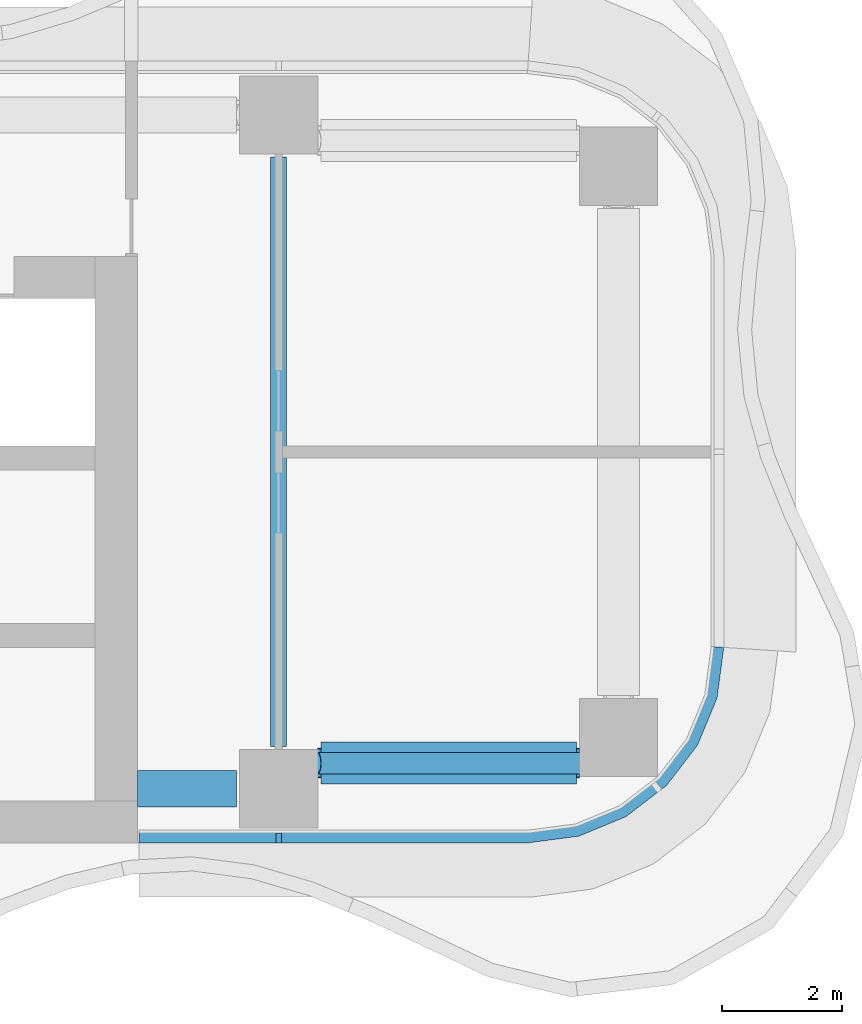
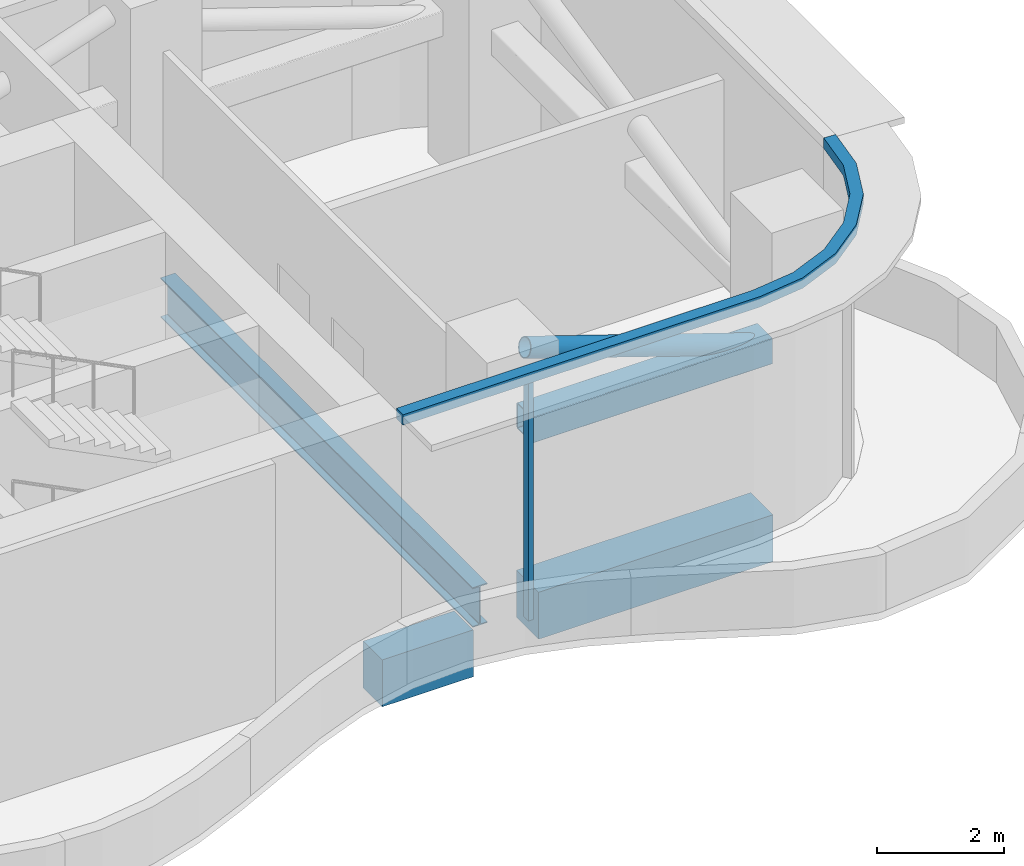
# One storey, part 5 of 20: 4 beams, 3 members, 1 element without a shape of its own.
"""IFC4 building model written with IfcOpenShell, lengths in metres."""

from ifc_helpers import new_model, si_unit, direction, frame, origin, origin_2d, place, context, subcontext, project, spatial, polyline, rectangle, hollow_rectangle, hollow_circle, i_section, outline, extrude, source, transform, mapped, material, layer, layer_set, material_profile, profile_set, type_object, element, aggregate, save


model = new_model("IFC4")

# Units and contexts
model_context = context("Model", 3, precision=1e-05, world=origin(), true_north=direction((0.0, 1.0)))
body_context = subcontext(model_context, "Body", "Model", "MODEL_VIEW")
ifc_project = project(units=[si_unit("LENGTHUNIT", "METRE"), si_unit("AREAUNIT", "SQUARE_METRE"), si_unit("VOLUMEUNIT", "CUBIC_METRE"), si_unit("PLANEANGLEUNIT", "RADIAN"), si_unit("MASSUNIT", "GRAM", prefix="KILO")], contexts=[model_context])

# Site, building, storey
site_placement = place(None, origin())
site = spatial("IfcSite", under=ifc_project, at=site_placement, CompositionType="ELEMENT")
building_placement = place(site_placement, origin())
building = spatial("IfcBuilding", under=site, at=building_placement, Name="Trellis Farm Tower", CompositionType="ELEMENT")
storey_placement = place(building_placement, frame((0.0, 0.0, 92.5)))
storey = spatial("IfcBuildingStorey", under=building, at=storey_placement, Name="L19", CompositionType="ELEMENT", Elevation=92.5)

# Curtain wall, member
ifc_material_1 = material(Name="Aluminium and glass curtain wall", Category="aluminium")
ifc_layer_1 = layer(ifc_material_1, 0.196044921875)
ifc_layer_set_1 = layer_set([ifc_layer_1], Name="LOUVRED GLASS CURTAIN WALL CW6")
curtain_wall_type = type_object("IfcCurtainWallType", Name="LOUVRED GLASS CURTAIN WALL CW6", PredefinedType="NOTDEFINED", material=ifc_layer_set_1)
curtain_wall_placement = place(storey_placement, origin())
curtain_wall = element("IfcCurtainWall", 1, at=curtain_wall_placement, inside=storey, type_object=curtain_wall_type, Name="CW6 007", PredefinedType="NOTDEFINED")
ifc_material_2 = material(Name="Aluminium extrusion 6063-T6", Category="aluminium")
ifc_layer_2 = layer(ifc_material_2, 0.2099609375)
ifc_layer_set_2 = layer_set([ifc_layer_2], Name="Aluminium extrusion 6063-T6")
member_type_1 = type_object("IfcMemberType", Name="CW6 TRANSOM 210x200", PredefinedType="USERDEFINED", material=ifc_layer_set_2)
member_1_placement = place(storey_placement, frame((0.0, 0.0, 4.550048828125)))
member_1 = element("IfcMember", 2, at=member_1_placement, type_object=member_type_1, Name="TR6 007", ObjectType="TRANSOM", PredefinedType="USERDEFINED", context=body_context, shape_type="SweptSolid", body=[
    extrude(outline(polyline([(22.780029296875, -6.5), (29.25, -6.5), (30.091064453125, -6.38916015625), (30.875, -6.064697265625), (31.548095703125, -5.548095703125), (32.064697265625, -4.875), (32.38916015625, -4.091064453125), (32.5, -3.25), (32.2900390625, -3.236328125), (32.1845703125, -4.036376953125), (31.881103515625, -4.76904296875), (31.3984375, -5.3984375), (30.76904296875, -5.881103515625), (30.036376953125, -6.1845703125), (29.236328125, -6.2900390625), (22.780029296875, -6.2900390625), (22.780029296875, -6.5)])), origin(), (0.0, 0.0, 1.0), 0.199951171875),
])

# Beams
ifc_material_3 = material(Name="Steel S355", Category="steel")
ifc_material_profile_1 = material_profile(ifc_material_3, i_section(OverallWidth=0.2666015625, OverallDepth=0.76220703125, WebThickness=0.014404296875, FlangeThickness=0.021484375, FilletRadius=0.0166015625, at=origin_2d()), Name="UB 762x267x173")
ifc_profile_set_1 = profile_set([ifc_material_profile_1], Name="Steel S355")
beam_type_1 = type_object("IfcBeamType", Name="UB 762x267x173", PredefinedType="BEAM", material=ifc_profile_set_1)
shared_shape_1 = source(origin(), body_context, "Body", "SweptSolid", [
    extrude(i_section(OverallWidth=0.2666015625, OverallDepth=0.76220703125, WebThickness=0.014404296875, FlangeThickness=0.021484375, FilletRadius=0.0166015625, at=origin_2d()), origin(), (0.0, 0.0, 1.0), 9.7998046875),
])
beam_1_placement = place(storey_placement, frame((25.10009765625, -4.89990234375, -0.68115234375), z_axis=(0.0, 1.0, 0.0), x_axis=(-1.0, 0.0, 0.0)))
element("IfcBeam", 3, at=beam_1_placement, inside=storey, type_object=beam_type_1, Name="Girder", PredefinedType="BEAM", context=body_context, shape_type="MappedRepresentation", body=[
    mapped(shared_shape_1, transform((0.0, 0.0, 0.0))),
])
ifc_material_4 = material(Name="Concrete C60/75", Category="concrete")
ifc_material_profile_2 = material_profile(ifc_material_4, rectangle(XDim=0.699951171875, YDim=0.89990234375, at=origin_2d()), Name="RC spandrel beam 700x900 C60/75")
ifc_profile_set_2 = profile_set([ifc_material_profile_2], Name="Concrete C60/75")
beam_type_2 = type_object("IfcBeamType", Name="RC spandrel beam 700x900 C60/75", PredefinedType="SPANDREL", material=ifc_profile_set_2)
shared_shape_2 = source(origin(), body_context, "Body", "SweptSolid", [
    extrude(rectangle(XDim=0.699951171875, YDim=0.89990234375, at=origin_2d()), origin(), (0.0, 0.0, 1.0), 4.25),
])
beam_2_placement = place(storey_placement, frame((25.800048828125, -5.175048828125, -0.75), z_axis=(1.0, 0.0, 0.0), x_axis=(0.0, 1.0, 0.0)))
element("IfcBeam", 4, at=beam_2_placement, inside=storey, type_object=beam_type_2, Name="Girder", PredefinedType="SPANDREL", context=body_context, shape_type="MappedRepresentation", body=[
    mapped(shared_shape_2, transform((0.0, 0.0, 0.0))),
])
ifc_material_profile_3 = material_profile(ifc_material_4, rectangle(XDim=0.60009765625, YDim=0.89990234375, at=origin_2d()), Name="RC spandrel beam 600x900 C60/75")
ifc_profile_set_3 = profile_set([ifc_material_profile_3], Name="Concrete C60/75")
beam_type_3 = type_object("IfcBeamType", Name="RC spandrel beam 600x900 C60/75", PredefinedType="SPANDREL", material=ifc_profile_set_3)
shared_shape_3 = source(origin(), body_context, "Body", "SweptSolid", [
    extrude(rectangle(XDim=0.60009765625, YDim=0.89990234375, at=origin_2d()), origin(), (0.0, 0.0, 1.0), 1.64990234375),
])
beam_3_placement = place(storey_placement, frame((22.75, -5.60009765625, -0.75), z_axis=(1.0, 0.0, 0.0), x_axis=(0.0, 1.0, 0.0)))
element("IfcBeam", 5, at=beam_3_placement, inside=storey, type_object=beam_type_3, Name="Girder", PredefinedType="SPANDREL", context=body_context, shape_type="MappedRepresentation", body=[
    mapped(shared_shape_3, transform((0.0, 0.0, 0.0))),
])
ifc_material_profile_4 = material_profile(ifc_material_3, hollow_rectangle(XDim=0.5, YDim=0.5, WallThickness=0.02001953125, InnerFilletRadius=0.02001953125, OuterFilletRadius=0.030029296875, at=origin_2d()), Name="SHS 500x500x20")
ifc_profile_set_4 = profile_set([ifc_material_profile_4], Name="Steel S355")
beam_type_4 = type_object("IfcBeamType", Name="SHS 500x500x20", PredefinedType="BEAM", material=ifc_profile_set_4)
shared_shape_4 = source(origin(), body_context, "Body", "SweptSolid", [
    extrude(hollow_rectangle(XDim=0.5, YDim=0.5, WallThickness=0.02001953125, InnerFilletRadius=0.02001953125, OuterFilletRadius=0.030029296875, at=origin_2d()), origin(), (0.0, 0.0, 1.0), 4.35009765625),
])
beam_4_placement = place(storey_placement, frame((25.75, -5.175048828125, 2.75), z_axis=(1.0, 0.0, 0.0), x_axis=(0.0, 1.0, 0.0)))
element("IfcBeam", 6, at=beam_4_placement, inside=storey, type_object=beam_type_4, Name="Outrigger truss chord SHS 500x500x20", PredefinedType="BEAM", context=body_context, shape_type="MappedRepresentation", body=[
    mapped(shared_shape_4, transform((0.0, 0.0, 0.0))),
])

# Member
ifc_material_profile_5 = material_profile(ifc_material_3, hollow_circle(Radius=0.177734375, WallThickness=0.01611328125, at=origin_2d()), Name="CHS 355.6x16")
ifc_profile_set_5 = profile_set([ifc_material_profile_5], Name="Steel S355")
member_type_2 = type_object("IfcMemberType", Name="CHS 355.6x16 brace", PredefinedType="BRACE", material=ifc_profile_set_5)
shared_shape_5 = source(origin(), body_context, "Body", "SweptSolid", [
    extrude(hollow_circle(Radius=0.177734375, WallThickness=0.01611328125, at=origin_2d()), origin(), (0.0, 0.0, 1.0), 4.58544921875),
])
member_2_placement = place(storey_placement, frame((30.10009765625, -5.175048828125, 2.75), z_axis=(-0.948688622243, 0.0, 0.31621179299), x_axis=(0.0, -1.0, 0.0)))
element("IfcMember", 7, at=member_2_placement, inside=storey, type_object=member_type_2, Name="Outrigger truss diagonal CHS 355.6x16", PredefinedType="BRACE", context=body_context, shape_type="MappedRepresentation", body=[
    mapped(shared_shape_5, transform((0.0, 0.0, 0.0))),
])

ifc_material_profile_6 = material_profile(ifc_material_2, rectangle(XDim=0.090087890625, YDim=0.159912109375, at=origin_2d()), Name="MULLION 90x160")
ifc_profile_set_6 = profile_set([ifc_material_profile_6], Name="Aluminium extrusion 6063-T6")
member_type_3 = type_object("IfcMemberType", Name="CW6 MULLION 90x160", PredefinedType="MULLION", material=ifc_profile_set_6)
shared_shape_6 = source(origin(), body_context, "Body", "SweptSolid", [
    extrude(rectangle(XDim=0.090087890625, YDim=0.159912109375, at=origin_2d()), origin(), (0.0, 0.0, 1.0), 4.550048828125),
])
member_3_placement = place(storey_placement, frame((25.10009765625, -6.419921875, 0.0), z_axis=(0.0, 0.0, 1.0), x_axis=(1.0, 0.0, 0.0)))
member_3 = element("IfcMember", 8, at=member_3_placement, type_object=member_type_3, Name="MU6 007-01", PredefinedType="MULLION", context=body_context, shape_type="MappedRepresentation", body=[
    mapped(shared_shape_6, transform((0.0, 0.0, 0.0))),
])

aggregate(curtain_wall, [member_3, member_1])

save(model, "model.ifc")
